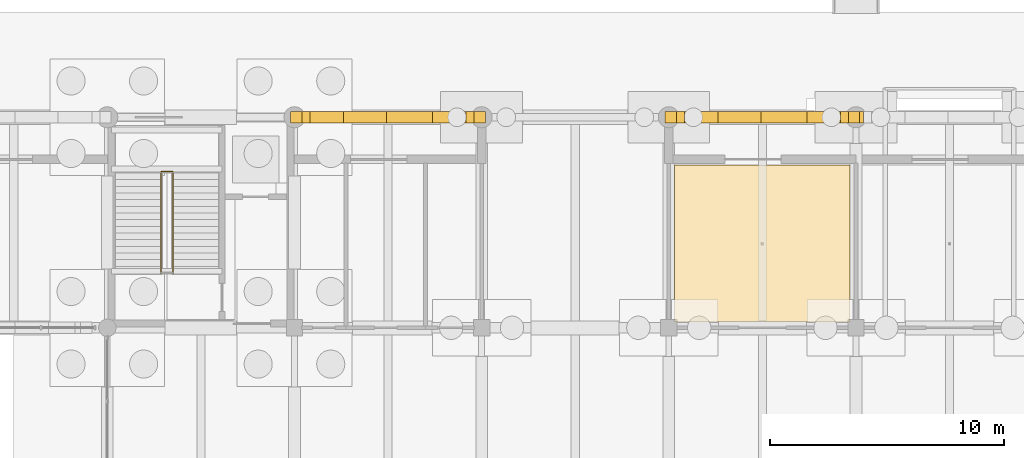
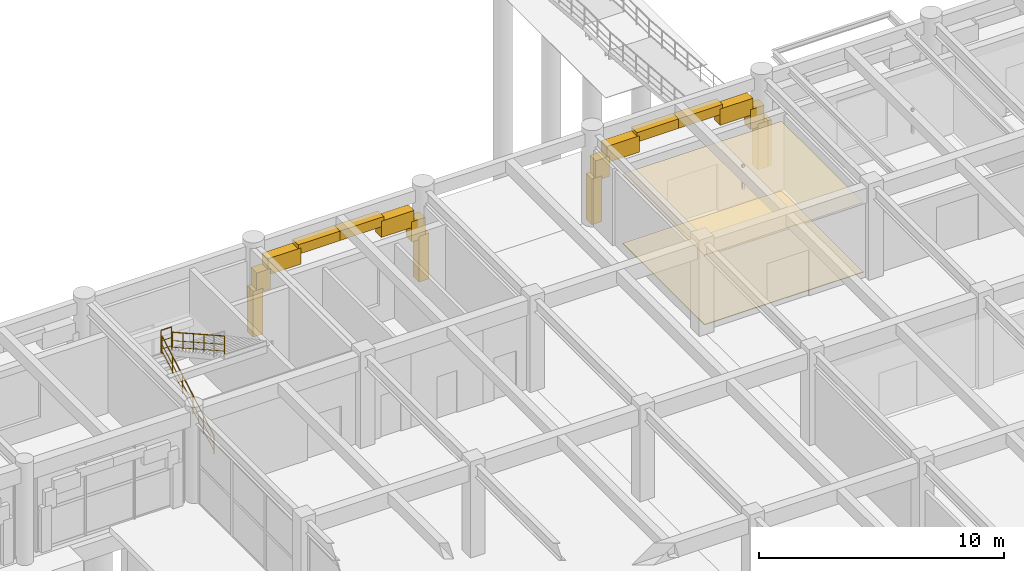
# One storey, part 140 of 147: 19 coverings, 3 railings.
"""IFC4 building model written with IfcOpenShell, lengths in metres."""

from ifc_helpers import new_model, si_unit, direction, frame, origin, origin_2d, place, context, subcontext, project, spatial, polyline, rectangle, circle, outline, extrude, material, layer, layer_set, type_object, element, save


model = new_model("IFC4")

# Units and contexts
model_context = context("Model", 3, precision=1e-05, world=origin(), true_north=direction((0.0, 1.0)))
body_context = subcontext(model_context, "Body", "Model", "MODEL_VIEW")
ifc_project = project(units=[si_unit("LENGTHUNIT", "METRE"), si_unit("AREAUNIT", "SQUARE_METRE"), si_unit("VOLUMEUNIT", "CUBIC_METRE"), si_unit("PLANEANGLEUNIT", "RADIAN"), si_unit("MASSUNIT", "GRAM", prefix="KILO")], contexts=[model_context])

# Site, building, storey
site_placement = place(None, origin())
site = spatial("IfcSite", under=ifc_project, at=site_placement, CompositionType="ELEMENT")
building_placement = place(site_placement, origin())
building = spatial("IfcBuilding", under=site, at=building_placement, Name="Varnabhumi Central Station", CompositionType="ELEMENT")
storey_placement = place(building_placement, origin())
storey = spatial("IfcBuildingStorey", under=building, at=storey_placement, Name="L00", CompositionType="ELEMENT", Elevation=0.0)

# Coverings
ifc_material_1 = material(Name="Mineral-fibre acoustic tile")
ifc_layer_1 = layer(ifc_material_1, 0.02490234375, Name="Mineral-fibre acoustic tile")
ifc_layer_set_1 = layer_set([ifc_layer_1], Name="Mineral-fibre acoustic tile")
covering_type_1 = type_object("IfcCoveringType", Name="COV-CEIL-ACOUSTIC", PredefinedType="CEILING", material=ifc_layer_set_1)
covering_1_placement = place(storey_placement, frame((0.0, 0.0, 3.469970703125)))
element("IfcCovering", 1, at=covering_1_placement, inside=storey, type_object=covering_type_1, Name="Travel Retail Shop 02 Acoustic Ceiling", PredefinedType="CEILING", context=body_context, shape_type="SweptSolid", body=[
    extrude(outline(polyline([(104.25, 107.25), (111.75, 107.25), (111.75, 113.949951171875), (104.25, 113.949951171875), (104.25, 107.25)])), origin(), (0.0, 0.0, 1.0), 0.025146484375),
])
ifc_material_2 = material(Name="Vitrified granite stone flooring", Category="masonry")
ifc_layer_2 = layer(ifc_material_2, 0.030029296875, Name="Vitrified granite stone flooring", Category="masonry")
ifc_layer_set_2 = layer_set([ifc_layer_2], Name="Vitrified granite stone flooring")
covering_type_2 = type_object("IfcCoveringType", Name="COV-FLOR-GRANITE", PredefinedType="FLOORING", material=ifc_layer_set_2)
covering_2_placement = place(storey_placement, origin())
element("IfcCovering", 2, at=covering_2_placement, inside=storey, type_object=covering_type_2, Name="Travel Retail Shop 02 Granite Flooring", PredefinedType="FLOORING", context=body_context, shape_type="SweptSolid", body=[
    extrude(outline(polyline([(104.25, 107.25), (111.75, 107.25), (111.75, 113.949951171875), (104.25, 113.949951171875), (104.25, 107.25)])), origin(), (0.0, 0.0, 1.0), 0.030029296875),
])
ifc_material_3 = material(Name="Terracotta clay Mission barrel tile", Category="masonry")
ifc_layer_3 = layer(ifc_material_3, 0.02001953125, Name="Terracotta clay Mission barrel tile", Category="masonry")
ifc_layer_set_3 = layer_set([ifc_layer_3], Name="Terracotta clay Mission barrel tile")
covering_type_3 = type_object("IfcCoveringType", Name="COV-WALL-FAIENCE", PredefinedType="CLADDING", material=ifc_layer_set_3)
covering_3_placement = place(storey_placement, frame((88.342529296875, 116.0, 2.110107421875), z_axis=(0.0, 0.0, 1.0), x_axis=(1.0, 0.0, 0.0)))
element("IfcCovering", 3, at=covering_3_placement, inside=storey, type_object=covering_type_3, Name="North Boulevard Portales Arch 12 Stone Voussoir 1", PredefinedType="CLADDING", context=body_context, shape_type="SweptSolid", body=[
    extrude(rectangle(XDim=0.64501953125, YDim=0.47998046875, at=origin_2d()), origin(), (0.0, 0.0, 1.0), 1.0048828125),
])
covering_4_placement = place(storey_placement, frame((89.322509765625, 116.0, 2.8349609375), z_axis=(0.0, 0.0, 1.0), x_axis=(1.0, 0.0, 0.0)))
element("IfcCovering", 4, at=covering_4_placement, inside=storey, type_object=covering_type_3, Name="North Boulevard Portales Arch 12 Stone Voussoir 2", PredefinedType="CLADDING", context=body_context, shape_type="SweptSolid", body=[
    extrude(rectangle(XDim=1.554931640625, YDim=0.47998046875, at=origin_2d()), origin(), (0.0, 0.0, 1.0), 0.81103515625),
])
for number, where, z_axis, x_axis, name in (
    (5, (91.02001953125, 116.0, 3.365966796875), (0.0, 0.0, 1.0), (1.0, 0.0, 0.0), "North Boulevard Portales Arch 12 Stone Voussoir 3"),
    (6, (92.97998046875, 116.0, 3.365966796875), (0.0, 0.0, 1.0), (1.0, 0.0, 0.0), "North Boulevard Portales Arch 12 Stone Voussoir 4"),
):
    element("IfcCovering", number, at=place(storey_placement, frame(where, z_axis=z_axis, x_axis=x_axis)), inside=storey, type_object=covering_type_3, Name=name, PredefinedType="CLADDING", context=body_context, shape_type="SweptSolid", body=[
        extrude(rectangle(XDim=2.080078125, YDim=0.47998046875, at=origin_2d()), origin(), (0.0, 0.0, 1.0), 0.47412109375),
    ])
covering_5_placement = place(storey_placement, frame((94.677490234375, 116.0, 2.8349609375), z_axis=(0.0, 0.0, 1.0), x_axis=(1.0, 0.0, 0.0)))
element("IfcCovering", 7, at=covering_5_placement, inside=storey, type_object=covering_type_3, Name="North Boulevard Portales Arch 12 Stone Voussoir 5", PredefinedType="CLADDING", context=body_context, shape_type="SweptSolid", body=[
    extrude(rectangle(XDim=1.554931640625, YDim=0.47998046875, at=origin_2d()), origin(), (0.0, 0.0, 1.0), 0.81103515625),
])
covering_6_placement = place(storey_placement, frame((95.657470703125, 116.0, 2.110107421875), z_axis=(0.0, 0.0, 1.0), x_axis=(1.0, 0.0, 0.0)))
element("IfcCovering", 8, at=covering_6_placement, inside=storey, type_object=covering_type_3, Name="North Boulevard Portales Arch 12 Stone Voussoir 6", PredefinedType="CLADDING", context=body_context, shape_type="SweptSolid", body=[
    extrude(rectangle(XDim=0.64501953125, YDim=0.47998046875, at=origin_2d()), origin(), (0.0, 0.0, 1.0), 1.0048828125),
])
for number, where, z_axis, x_axis, name in (
    (9, (88.080078125, 116.0, -0.02001953125), (0.0, 0.0, 1.0), (1.0, 0.0, 0.0), "North Boulevard Portales Arch 12 Classical Pilaster 1"),
    (10, (95.919921875, 116.0, -0.02001953125), (0.0, 0.0, 1.0), (1.0, 0.0, 0.0), "North Boulevard Portales Arch 12 Classical Pilaster 2"),
):
    element("IfcCovering", number, at=place(storey_placement, frame(where, z_axis=z_axis, x_axis=x_axis)), inside=storey, type_object=covering_type_3, Name=name, PredefinedType="CLADDING", context=body_context, shape_type="SweptSolid", body=[
        extrude(rectangle(XDim=0.47998046875, YDim=0.47998046875, at=origin_2d()), origin(), (0.0, 0.0, 1.0), 2.2900390625),
    ])
covering_7_placement = place(storey_placement, frame((104.342529296875, 116.0, 2.110107421875), z_axis=(0.0, 0.0, 1.0), x_axis=(1.0, 0.0, 0.0)))
element("IfcCovering", 11, at=covering_7_placement, inside=storey, type_object=covering_type_3, Name="North Boulevard Portales Arch 14 Stone Voussoir 1", PredefinedType="CLADDING", context=body_context, shape_type="SweptSolid", body=[
    extrude(rectangle(XDim=0.64501953125, YDim=0.47998046875, at=origin_2d()), origin(), (0.0, 0.0, 1.0), 1.0048828125),
])
covering_8_placement = place(storey_placement, frame((105.322509765625, 116.0, 2.8349609375), z_axis=(0.0, 0.0, 1.0), x_axis=(1.0, 0.0, 0.0)))
element("IfcCovering", 12, at=covering_8_placement, inside=storey, type_object=covering_type_3, Name="North Boulevard Portales Arch 14 Stone Voussoir 2", PredefinedType="CLADDING", context=body_context, shape_type="SweptSolid", body=[
    extrude(rectangle(XDim=1.554931640625, YDim=0.47998046875, at=origin_2d()), origin(), (0.0, 0.0, 1.0), 0.81103515625),
])
for number, where, z_axis, x_axis, name in (
    (13, (107.02001953125, 116.0, 3.365966796875), (0.0, 0.0, 1.0), (1.0, 0.0, 0.0), "North Boulevard Portales Arch 14 Stone Voussoir 3"),
    (14, (108.97998046875, 116.0, 3.365966796875), (0.0, 0.0, 1.0), (1.0, 0.0, 0.0), "North Boulevard Portales Arch 14 Stone Voussoir 4"),
):
    element("IfcCovering", number, at=place(storey_placement, frame(where, z_axis=z_axis, x_axis=x_axis)), inside=storey, type_object=covering_type_3, Name=name, PredefinedType="CLADDING", context=body_context, shape_type="SweptSolid", body=[
        extrude(rectangle(XDim=2.080078125, YDim=0.47998046875, at=origin_2d()), origin(), (0.0, 0.0, 1.0), 0.47412109375),
    ])
covering_9_placement = place(storey_placement, frame((110.677490234375, 116.0, 2.8349609375), z_axis=(0.0, 0.0, 1.0), x_axis=(1.0, 0.0, 0.0)))
element("IfcCovering", 15, at=covering_9_placement, inside=storey, type_object=covering_type_3, Name="North Boulevard Portales Arch 14 Stone Voussoir 5", PredefinedType="CLADDING", context=body_context, shape_type="SweptSolid", body=[
    extrude(rectangle(XDim=1.554931640625, YDim=0.47998046875, at=origin_2d()), origin(), (0.0, 0.0, 1.0), 0.81103515625),
])
covering_10_placement = place(storey_placement, frame((111.657470703125, 116.0, 2.110107421875), z_axis=(0.0, 0.0, 1.0), x_axis=(1.0, 0.0, 0.0)))
element("IfcCovering", 16, at=covering_10_placement, inside=storey, type_object=covering_type_3, Name="North Boulevard Portales Arch 14 Stone Voussoir 6", PredefinedType="CLADDING", context=body_context, shape_type="SweptSolid", body=[
    extrude(rectangle(XDim=0.64501953125, YDim=0.47998046875, at=origin_2d()), origin(), (0.0, 0.0, 1.0), 1.0048828125),
])
for number, where, z_axis, x_axis, name in (
    (17, (104.080078125, 116.0, -0.02001953125), (0.0, 0.0, 1.0), (1.0, 0.0, 0.0), "North Boulevard Portales Arch 14 Classical Pilaster 1"),
    (18, (111.919921875, 116.0, -0.02001953125), (0.0, 0.0, 1.0), (1.0, 0.0, 0.0), "North Boulevard Portales Arch 14 Classical Pilaster 2"),
    (19, (112.080078125, 116.0, -0.02001953125), (0.0, 0.0, 1.0), (1.0, 0.0, 0.0), "North Boulevard Portales Arch 15 Classical Pilaster 1"),
):
    element("IfcCovering", number, at=place(storey_placement, frame(where, z_axis=z_axis, x_axis=x_axis)), inside=storey, type_object=covering_type_3, Name=name, PredefinedType="CLADDING", context=body_context, shape_type="SweptSolid", body=[
        extrude(rectangle(XDim=0.47998046875, YDim=0.47998046875, at=origin_2d()), origin(), (0.0, 0.0, 1.0), 2.2900390625),
    ])

# Railings
ifc_material_4 = material(Name="Stainless steel Grade 316", Category="steel")
railing_type_1 = type_object("IfcRailingType", Name="RAIL-STAIR-GRD-1150", PredefinedType="GUARDRAIL", material=ifc_material_4)
railing_1_placement = place(storey_placement, frame((82.300048828125, 113.675048828125, 2.39990234375)))
element("IfcRailing", 20, at=railing_1_placement, inside=storey, type_object=railing_type_1, Name="ST-N2 L00 Half-Landing Well Guard", PredefinedType="GUARDRAIL", context=body_context, shape_type="SweptSolid", body=[
    extrude(circle(Radius=0.02392578125, at=origin_2d()), frame((0.0, 0.0, 1.1259765625), z_axis=(1.0, 0.0, 0.0), x_axis=(0.0, 1.0, 0.0)), (0.0, 0.0, 1.0), 0.5),
    extrude(circle(Radius=0.01416015625, at=origin_2d()), frame((0.0, 0.0, 0.597900390625), z_axis=(1.0, 0.0, 0.0), x_axis=(0.0, 1.0, 0.0)), (0.0, 0.0, 1.0), 0.5),
    extrude(circle(Radius=0.01416015625, at=origin_2d()), frame((0.0, 0.0, 0.18408203125), z_axis=(1.0, 0.0, 0.0), x_axis=(0.0, 1.0, 0.0)), (0.0, 0.0, 1.0), 0.5),
    extrude(circle(Radius=0.02099609375, at=origin_2d()), origin(), (0.0, 0.0, 1.0), 1.101806640625),
    extrude(circle(Radius=0.02099609375, at=origin_2d()), frame((0.5, 0.0, 0.0)), (0.0, 0.0, 1.0), 1.101806640625),
])
railing_type_2 = type_object("IfcRailingType", Name="RAIL-STAIR-HR-920", PredefinedType="HANDRAIL", material=ifc_material_4)
railing_2_placement = place(storey_placement, frame((82.300048828125, 109.340087890625, 0.0)))
element("IfcRailing", 21, at=railing_2_placement, inside=storey, type_object=railing_type_2, Name="ST-N2 L00 Flight 1 Handrail", PredefinedType="HANDRAIL", context=body_context, shape_type="SweptSolid", body=[
    extrude(circle(Radius=0.02392578125, at=origin_2d()), frame((0.0, 0.0, 0.89599609375), z_axis=(0.0, 0.871987514779, 0.489528113665), x_axis=(-1.0, 0.0, 0.0)), (0.0, 0.0, 1.0), 4.902587890625),
    extrude(circle(Radius=0.01416015625, at=origin_2d()), frame((0.0, 0.0, 0.478271484375), z_axis=(0.0, 0.871987514779, 0.489528113665), x_axis=(-1.0, 0.0, 0.0)), (0.0, 0.0, 1.0), 4.902587890625),
    extrude(circle(Radius=0.01416015625, at=origin_2d()), frame((0.0, 0.0, 0.147216796875), z_axis=(0.0, 0.871987514779, 0.489528113665), x_axis=(-1.0, 0.0, 0.0)), (0.0, 0.0, 1.0), 4.902587890625),
    extrude(circle(Radius=0.02099609375, at=origin_2d()), origin(), (0.0, 0.0, 1.0), 0.871826171875),
    extrude(circle(Radius=0.02099609375, at=origin_2d()), frame((0.0, 0.85498046875, 0.47998046875)), (0.0, 0.0, 1.0), 0.871826171875),
    extrude(circle(Radius=0.02099609375, at=origin_2d()), frame((0.0, 1.7099609375, 0.9599609375)), (0.0, 0.0, 1.0), 0.871826171875),
    extrude(circle(Radius=0.02099609375, at=origin_2d()), frame((0.0, 2.56494140625, 1.43994140625)), (0.0, 0.0, 1.0), 0.871826171875),
    extrude(circle(Radius=0.02099609375, at=origin_2d()), frame((0.0, 3.419921875, 1.919921875)), (0.0, 0.0, 1.0), 0.871826171875),
    extrude(circle(Radius=0.02099609375, at=origin_2d()), frame((0.0, 4.27490234375, 2.39990234375)), (0.0, 0.0, 1.0), 0.871826171875),
])
railing_3_placement = place(storey_placement, frame((82.800048828125, 113.614990234375, 2.39990234375)))
element("IfcRailing", 22, at=railing_3_placement, inside=storey, type_object=railing_type_2, Name="ST-N2 L00 Flight 2 Handrail", PredefinedType="HANDRAIL", context=body_context, shape_type="SweptSolid", body=[
    extrude(circle(Radius=0.02392578125, at=origin_2d()), frame((0.0, 0.0, 0.89599609375), z_axis=(0.0, -0.871966256983, 0.489565977864), x_axis=(1.0, 0.0, 0.0)), (0.0, 0.0, 1.0), 4.902587890625),
    extrude(circle(Radius=0.01416015625, at=origin_2d()), frame((0.0, 0.0, 0.478271484375), z_axis=(0.0, -0.871966256983, 0.489565977864), x_axis=(1.0, 0.0, 0.0)), (0.0, 0.0, 1.0), 4.902587890625),
    extrude(circle(Radius=0.01416015625, at=origin_2d()), frame((0.0, 0.0, 0.147216796875), z_axis=(0.0, -0.871966256983, 0.489565977864), x_axis=(1.0, 0.0, 0.0)), (0.0, 0.0, 1.0), 4.902587890625),
    extrude(circle(Radius=0.02099609375, at=origin_2d()), origin(), (0.0, 0.0, 1.0), 0.871826171875),
    extrude(circle(Radius=0.02099609375, at=origin_2d()), frame((0.0, -0.85498046875, 0.47998046875)), (0.0, 0.0, 1.0), 0.871826171875),
    extrude(circle(Radius=0.02099609375, at=origin_2d()), frame((0.0, -1.7099609375, 0.9599609375)), (0.0, 0.0, 1.0), 0.871826171875),
    extrude(circle(Radius=0.02099609375, at=origin_2d()), frame((0.0, -2.56494140625, 1.440185546875)), (0.0, 0.0, 1.0), 0.871826171875),
    extrude(circle(Radius=0.02099609375, at=origin_2d()), frame((0.0, -3.419921875, 1.920166015625)), (0.0, 0.0, 1.0), 0.871826171875),
    extrude(circle(Radius=0.02099609375, at=origin_2d()), frame((0.0, -4.27490234375, 2.400146484375)), (0.0, 0.0, 1.0), 0.871826171875),
])

save(model, "model.ifc")
